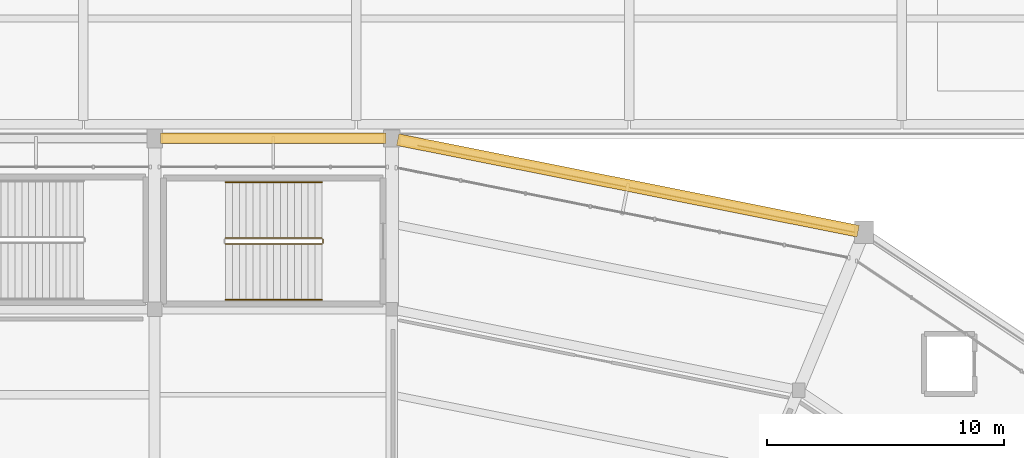
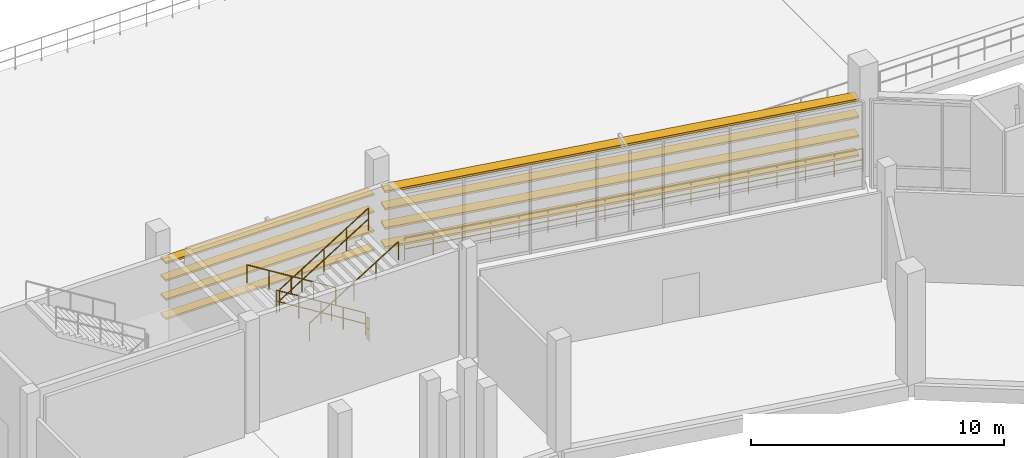
# One storey, part 109 of 111: 8 shading devices, 6 railings.
"""IFC4 building model written with IfcOpenShell, lengths in metres."""

from ifc_helpers import new_model, si_unit, direction, frame, origin, origin_2d, place, context, subcontext, project, spatial, rectangle, circle, extrude, material, layer, layer_set, type_object, element, save


model = new_model("IFC4")

# Units and contexts
model_context = context("Model", 3, precision=1e-05, world=origin(), true_north=direction((0.0, 1.0)))
body_context = subcontext(model_context, "Body", "Model", "MODEL_VIEW")
ifc_project = project(units=[si_unit("LENGTHUNIT", "METRE"), si_unit("AREAUNIT", "SQUARE_METRE"), si_unit("VOLUMEUNIT", "CUBIC_METRE"), si_unit("PLANEANGLEUNIT", "RADIAN"), si_unit("MASSUNIT", "GRAM", prefix="KILO")], contexts=[model_context])

# Site, building, storey
site_placement = place(None, origin())
site = spatial("IfcSite", under=ifc_project, at=site_placement, CompositionType="ELEMENT")
building_placement = place(site_placement, origin())
building = spatial("IfcBuilding", under=site, at=building_placement, Name="Candeia Ridge Stadium", CompositionType="ELEMENT")
storey_placement = place(building_placement, frame((0.0, 0.0, 16.199951171875)))
storey = spatial("IfcBuildingStorey", under=building, at=storey_placement, Name="L03", CompositionType="ELEMENT", Elevation=16.199951171875)

# Railings
ifc_material_1 = material(Name="Galvanized Powder-Coated Steel", Category="steel")
ifc_layer_1 = layer(ifc_material_1, 0.074951171875, Name="Galvanized Powder-Coated Steel", Category="steel")
ifc_layer_set_1 = layer_set([ifc_layer_1], Name="Galvanized Powder-Coated Steel")
railing_type_1 = type_object("IfcRailingType", Name="Spectator Bowl Front Guardrail 1120", PredefinedType="GUARDRAIL", material=ifc_layer_set_1)
railing_1_placement = place(storey_placement, frame((142.09033203125, 146.701416015625, 0.0)))
element("IfcRailing", 1, at=railing_1_placement, inside=storey, type_object=railing_type_1, Name="Deck edge safety guardrail GR-DE-L03-0167", PredefinedType="GUARDRAIL", context=body_context, shape_type="SweptSolid", body=[
    extrude(circle(Radius=0.02392578125, at=origin_2d()), frame((0.0, 0.0, 1.09619140625), z_axis=(0.980847263752, -0.194778451557, 0.0), x_axis=(0.194778451557, 0.980847263752, 0.0)), (0.0, 0.0, 1.0), 19.131103515625),
    extrude(circle(Radius=0.02392578125, at=origin_2d()), frame((0.0, 0.0, 0.56005859375), z_axis=(0.980847263752, -0.194778451557, 0.0), x_axis=(0.194778451557, 0.980847263752, 0.0)), (0.0, 0.0, 1.0), 19.131103515625),
    extrude(circle(Radius=0.02099609375, at=origin_2d()), origin(), (0.0, 0.0, 1.0), 1.072021484375),
    extrude(circle(Radius=0.02099609375, at=origin_2d()), frame((1.1728515625, -0.23291015625, 0.0)), (0.0, 0.0, 1.0), 1.072021484375),
    extrude(circle(Radius=0.02099609375, at=origin_2d()), frame((2.345703125, -0.4658203125, 0.0)), (0.0, 0.0, 1.0), 1.072021484375),
    extrude(circle(Radius=0.02099609375, at=origin_2d()), frame((3.518310546875, -0.69873046875, 0.0)), (0.0, 0.0, 1.0), 1.072021484375),
    extrude(circle(Radius=0.02099609375, at=origin_2d()), frame((4.691162109375, -0.931640625, 0.0)), (0.0, 0.0, 1.0), 1.072021484375),
    extrude(circle(Radius=0.02099609375, at=origin_2d()), frame((5.864013671875, -1.16455078125, 0.0)), (0.0, 0.0, 1.0), 1.072021484375),
    extrude(circle(Radius=0.02099609375, at=origin_2d()), frame((7.03662109375, -1.3974609375, 0.0)), (0.0, 0.0, 1.0), 1.072021484375),
    extrude(circle(Radius=0.02099609375, at=origin_2d()), frame((8.20947265625, -1.63037109375, 0.0)), (0.0, 0.0, 1.0), 1.072021484375),
    extrude(circle(Radius=0.02099609375, at=origin_2d()), frame((9.38232421875, -1.86328125, 0.0)), (0.0, 0.0, 1.0), 1.072021484375),
    extrude(circle(Radius=0.02099609375, at=origin_2d()), frame((10.55517578125, -2.095947265625, 0.0)), (0.0, 0.0, 1.0), 1.072021484375),
    extrude(circle(Radius=0.02099609375, at=origin_2d()), frame((11.72802734375, -2.328857421875, 0.0)), (0.0, 0.0, 1.0), 1.072021484375),
    extrude(circle(Radius=0.02099609375, at=origin_2d()), frame((12.900634765625, -2.561767578125, 0.0)), (0.0, 0.0, 1.0), 1.072021484375),
    extrude(circle(Radius=0.02099609375, at=origin_2d()), frame((14.073486328125, -2.794677734375, 0.0)), (0.0, 0.0, 1.0), 1.072021484375),
    extrude(circle(Radius=0.02099609375, at=origin_2d()), frame((15.246337890625, -3.027587890625, 0.0)), (0.0, 0.0, 1.0), 1.072021484375),
    extrude(circle(Radius=0.02099609375, at=origin_2d()), frame((16.4189453125, -3.260498046875, 0.0)), (0.0, 0.0, 1.0), 1.072021484375),
    extrude(circle(Radius=0.02099609375, at=origin_2d()), frame((17.591796875, -3.493408203125, 0.0)), (0.0, 0.0, 1.0), 1.072021484375),
    extrude(circle(Radius=0.02099609375, at=origin_2d()), frame((18.7646484375, -3.726318359375, 0.0)), (0.0, 0.0, 1.0), 1.072021484375),
])
ifc_material_2 = material(Name="Brushed Stainless Steel", Category="steel")
ifc_layer_2 = layer(ifc_material_2, 0.048095703125, Name="Brushed Stainless Steel", Category="steel")
ifc_layer_set_2 = layer_set([ifc_layer_2], Name="Brushed Stainless Steel")
railing_type_2 = type_object("IfcRailingType", Name="Stair Wall & Flight Handrail 900", PredefinedType="HANDRAIL", material=ifc_layer_set_2)
railing_2_placement = place(storey_placement, frame((138.050048828125, 145.14990234375, 0.179931640625)))
element("IfcRailing", 2, at=railing_2_placement, inside=storey, type_object=railing_type_2, Name="L03 ST04 stair handrail 1", PredefinedType="HANDRAIL", context=body_context, shape_type="SweptSolid", body=[
    extrude(circle(Radius=0.02392578125, at=origin_2d()), frame((0.0, 0.0, 0.8759765625), z_axis=(-0.849641744969, 0.0, 0.527360318194), x_axis=(0.0, -1.0, 0.0)), (0.0, 0.0, 1.0), 4.778564453125),
    extrude(circle(Radius=0.02099609375, at=origin_2d()), origin(), (0.0, 0.0, 1.0), 0.851806640625),
    extrude(circle(Radius=0.02099609375, at=origin_2d()), frame((-1.01513671875, 0.0, 0.6298828125)), (0.0, 0.0, 1.0), 0.851806640625),
    extrude(circle(Radius=0.02099609375, at=origin_2d()), frame((-2.030029296875, 0.0, 1.260009765625)), (0.0, 0.0, 1.0), 0.851806640625),
    extrude(circle(Radius=0.02099609375, at=origin_2d()), frame((-3.044921875, 0.0, 1.89013671875)), (0.0, 0.0, 1.0), 0.851806640625),
    extrude(circle(Radius=0.02099609375, at=origin_2d()), frame((-4.06005859375, 0.0, 2.52001953125)), (0.0, 0.0, 1.0), 0.851806640625),
])
railing_3_placement = place(storey_placement, frame((133.989990234375, 140.199951171875, 2.880126953125)))
element("IfcRailing", 3, at=railing_3_placement, inside=storey, type_object=railing_type_2, Name="L03 ST04 stair handrail 2", PredefinedType="HANDRAIL", context=body_context, shape_type="SweptSolid", body=[
    extrude(circle(Radius=0.02392578125, at=origin_2d()), frame((0.0, 0.0, 0.8759765625), z_axis=(0.849641744969, 0.0, 0.527360318194), x_axis=(0.0, 1.0, 0.0)), (0.0, 0.0, 1.0), 4.778564453125),
    extrude(circle(Radius=0.02099609375, at=origin_2d()), origin(), (0.0, 0.0, 1.0), 0.851806640625),
    extrude(circle(Radius=0.02099609375, at=origin_2d()), frame((1.01513671875, 0.0, 0.6298828125)), (0.0, 0.0, 1.0), 0.851806640625),
    extrude(circle(Radius=0.02099609375, at=origin_2d()), frame((2.030029296875, 0.0, 1.260009765625)), (0.0, 0.0, 1.0), 0.851806640625),
    extrude(circle(Radius=0.02099609375, at=origin_2d()), frame((3.044921875, 0.0, 1.89013671875)), (0.0, 0.0, 1.0), 0.851806640625),
    extrude(circle(Radius=0.02099609375, at=origin_2d()), frame((4.06005859375, 0.0, 2.52001953125)), (0.0, 0.0, 1.0), 0.851806640625),
])
ifc_layer_3 = layer(ifc_material_1, 0.06005859375, Name="Galvanized Powder-Coated Steel", Category="steel")
ifc_layer_set_3 = layer_set([ifc_layer_3], Name="Galvanized Powder-Coated Steel")
railing_type_3 = type_object("IfcRailingType", Name="Stair Well Guardrail 1100", PredefinedType="GUARDRAIL", material=ifc_layer_set_3)
railing_4_placement = place(storey_placement, frame((138.050048828125, 142.800048828125, 0.179931640625)))
element("IfcRailing", 4, at=railing_4_placement, inside=storey, type_object=railing_type_3, Name="L03 ST04 stair guard 1", PredefinedType="GUARDRAIL", context=body_context, shape_type="SweptSolid", body=[
    extrude(circle(Radius=0.02392578125, at=origin_2d()), frame((0.0, 0.0, 1.076171875), z_axis=(-0.849641744969, 0.0, 0.527360318194), x_axis=(0.0, -1.0, 0.0)), (0.0, 0.0, 1.0), 4.778564453125),
    extrude(circle(Radius=0.02392578125, at=origin_2d()), frame((0.0, 0.0, 0.550048828125), z_axis=(-0.849641744969, 0.0, 0.527360318194), x_axis=(0.0, -1.0, 0.0)), (0.0, 0.0, 1.0), 4.778564453125),
    extrude(circle(Radius=0.02099609375, at=origin_2d()), origin(), (0.0, 0.0, 1.0), 1.052001953125),
    extrude(circle(Radius=0.02099609375, at=origin_2d()), frame((-1.01513671875, 0.0, 0.6298828125)), (0.0, 0.0, 1.0), 1.052001953125),
    extrude(circle(Radius=0.02099609375, at=origin_2d()), frame((-2.030029296875, 0.0, 1.260009765625)), (0.0, 0.0, 1.0), 1.052001953125),
    extrude(circle(Radius=0.02099609375, at=origin_2d()), frame((-3.044921875, 0.0, 1.89013671875)), (0.0, 0.0, 1.0), 1.052001953125),
    extrude(circle(Radius=0.02099609375, at=origin_2d()), frame((-4.06005859375, 0.0, 2.52001953125)), (0.0, 0.0, 1.0), 1.052001953125),
])
railing_5_placement = place(storey_placement, frame((133.989990234375, 142.550048828125, 2.880126953125)))
element("IfcRailing", 5, at=railing_5_placement, inside=storey, type_object=railing_type_3, Name="L03 ST04 stair guard 3", PredefinedType="GUARDRAIL", context=body_context, shape_type="SweptSolid", body=[
    extrude(circle(Radius=0.02392578125, at=origin_2d()), frame((0.0, 0.0, 1.076171875), z_axis=(0.849641744969, 0.0, 0.527360318194), x_axis=(0.0, 1.0, 0.0)), (0.0, 0.0, 1.0), 4.778564453125),
    extrude(circle(Radius=0.02392578125, at=origin_2d()), frame((0.0, 0.0, 0.550048828125), z_axis=(0.849641744969, 0.0, 0.527360318194), x_axis=(0.0, 1.0, 0.0)), (0.0, 0.0, 1.0), 4.778564453125),
    extrude(circle(Radius=0.02099609375, at=origin_2d()), origin(), (0.0, 0.0, 1.0), 1.052001953125),
    extrude(circle(Radius=0.02099609375, at=origin_2d()), frame((1.01513671875, 0.0, 0.6298828125)), (0.0, 0.0, 1.0), 1.052001953125),
    extrude(circle(Radius=0.02099609375, at=origin_2d()), frame((2.030029296875, 0.0, 1.260009765625)), (0.0, 0.0, 1.0), 1.052001953125),
    extrude(circle(Radius=0.02099609375, at=origin_2d()), frame((3.044921875, 0.0, 1.89013671875)), (0.0, 0.0, 1.0), 1.052001953125),
    extrude(circle(Radius=0.02099609375, at=origin_2d()), frame((4.06005859375, 0.0, 2.52001953125)), (0.0, 0.0, 1.0), 1.052001953125),
])
railing_6_placement = place(storey_placement, frame((138.10009765625, 142.75, 0.0)))
element("IfcRailing", 6, at=railing_6_placement, inside=storey, type_object=railing_type_3, Name="L03 ST04 stair guard 4", PredefinedType="GUARDRAIL", context=body_context, shape_type="SweptSolid", body=[
    extrude(circle(Radius=0.02392578125, at=origin_2d()), frame((0.0, 0.0, 1.076171875), z_axis=(0.0, -1.0, 0.0), x_axis=(1.0, 0.0, 0.0)), (0.0, 0.0, 1.0), 0.14990234375),
    extrude(circle(Radius=0.02392578125, at=origin_2d()), frame((0.0, 0.0, 0.550048828125), z_axis=(0.0, -1.0, 0.0), x_axis=(1.0, 0.0, 0.0)), (0.0, 0.0, 1.0), 0.14990234375),
    extrude(circle(Radius=0.02099609375, at=origin_2d()), origin(), (0.0, 0.0, 1.0), 1.052001953125),
    extrude(circle(Radius=0.02099609375, at=origin_2d()), frame((0.0, -0.14990234375, 0.0)), (0.0, 0.0, 1.0), 1.052001953125),
])

# Shading devices
ifc_material_3 = material(Name="Aluminium Anodized Warm Bronze", Category="aluminium")
shading_device_type_1 = type_object("IfcShadingDeviceType", Name="Weathered Bronze Horizontal Solar Rib 440x95", PredefinedType="JALOUSIE", material=ifc_material_3)
for number, where, z_axis, x_axis, name in (
    (7, (136.0, 147.0, 0.87744140625), (0.0, 0.0, 1.0), (-1.0, 0.0, 0.0), "Weathered bronze horizontal solar rib L03 bay 01-1"),
    (8, (136.0, 147.0, 1.802734375), (0.0, 0.0, 1.0), (-1.0, 0.0, 0.0), "Weathered bronze horizontal solar rib L03 bay 01-2"),
    (9, (136.0, 147.0, 2.72802734375), (0.0, 0.0, 1.0), (-1.0, 0.0, 0.0), "Weathered bronze horizontal solar rib L03 bay 01-3"),
    (10, (136.0, 147.0, 3.56884765625), (0.0, 0.0, 1.0), (-1.0, 0.0, 0.0), "Weathered bronze horizontal solar rib L03 bay 01-4"),
):
    element("IfcShadingDevice", number, at=place(storey_placement, frame(where, z_axis=z_axis, x_axis=x_axis)), inside=storey, type_object=shading_device_type_1, Name=name, PredefinedType="JALOUSIE", context=body_context, shape_type="SweptSolid", body=[
        extrude(rectangle(XDim=9.5, YDim=0.43994140625, at=origin_2d()), origin(), (0.0, 0.0, 1.0), 0.094970703125),
    ])
shading_device_type_2 = type_object("IfcShadingDeviceType", Name="Weathered Bronze Horizontal Solar Rib 500x105", PredefinedType="JALOUSIE", material=ifc_material_3)
for number, where, z_axis, x_axis, name in (
    (11, (150.94970703125, 145.020751953125, 0.87255859375), (0.0, 0.0, 1.0), (-0.980785282416, 0.195090311899, 0.0), "Weathered bronze horizontal solar rib L03 bay 36-1"),
    (12, (150.94970703125, 145.020751953125, 1.7978515625), (0.0, 0.0, 1.0), (-0.980785282416, 0.195090311899, 0.0), "Weathered bronze horizontal solar rib L03 bay 36-2"),
    (13, (150.94970703125, 145.020751953125, 2.722900390625), (0.0, 0.0, 1.0), (-0.980785282416, 0.195090311899, 0.0), "Weathered bronze horizontal solar rib L03 bay 36-3"),
    (14, (150.94970703125, 145.020751953125, 3.56396484375), (0.0, 0.0, 1.0), (-0.980785282416, 0.195090311899, 0.0), "Weathered bronze horizontal solar rib L03 bay 36-4"),
):
    element("IfcShadingDevice", number, at=place(storey_placement, frame(where, z_axis=z_axis, x_axis=x_axis)), inside=storey, type_object=shading_device_type_2, Name=name, PredefinedType="JALOUSIE", context=body_context, shape_type="SweptSolid", body=[
        extrude(rectangle(XDim=19.789306640625, YDim=0.5, at=origin_2d()), origin(), (0.0, 0.0, 1.0), 0.10498046875),
    ])

save(model, "model.ifc")
